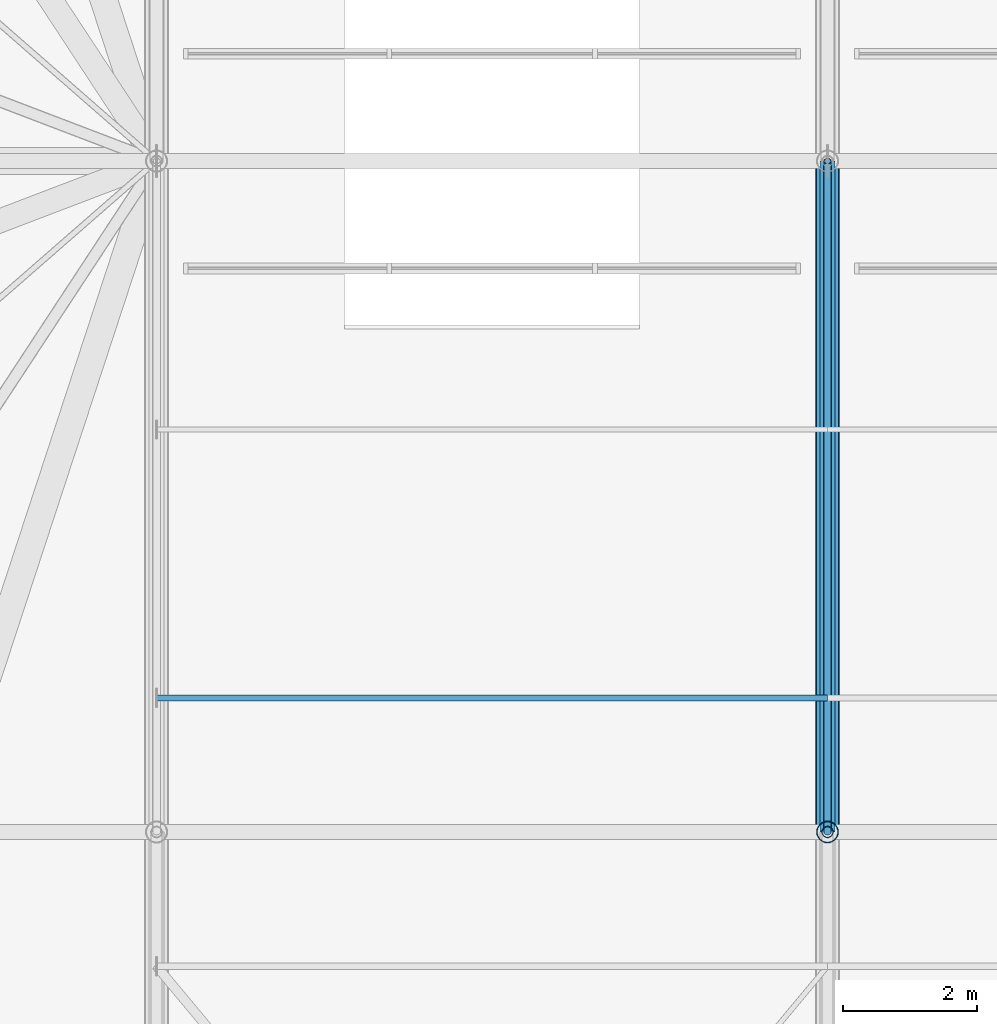
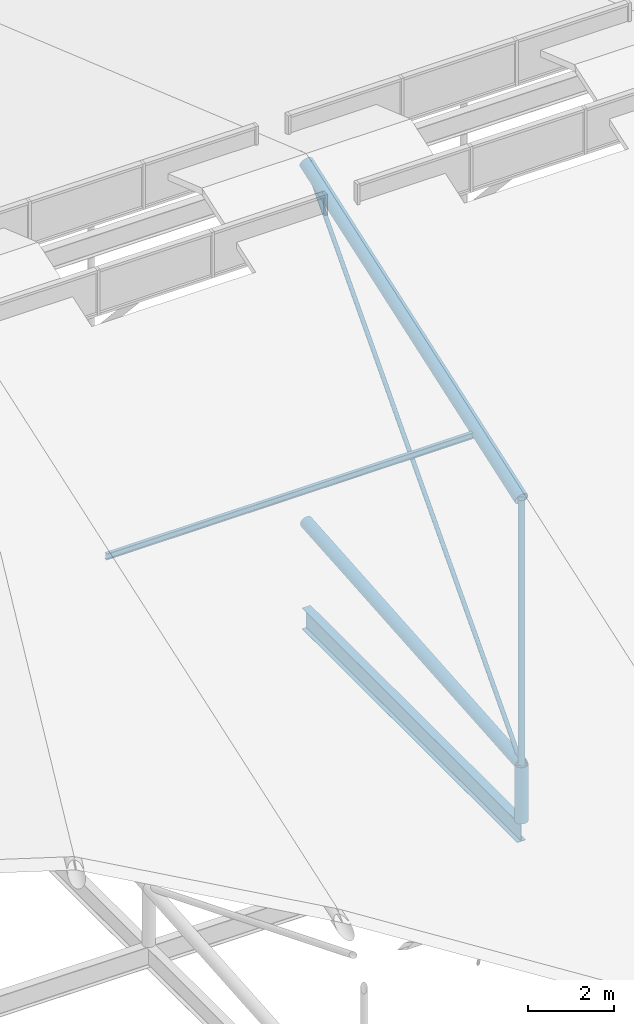
# One storey, part 15 of 93: 6 members, 1 beam.
"""IFC4 building model written with IfcOpenShell, lengths in metres."""

from ifc_helpers import new_model, si_unit, derived_unit, direction, frame, origin, origin_2d_with_axis, place, context, subcontext, project, spatial, hollow_circle, i_section, extrude, material, material_profile, profile_set, type_object, element, save


model = new_model("IFC4")

# Units and contexts
model_context = context("Model", 3, precision=1e-05, world=origin(), true_north=direction((0.0, 1.0)))
body_context = subcontext(model_context, "Body", "Model", "MODEL_VIEW")
ifc_project = project(units=[si_unit("LENGTHUNIT", "METRE"), si_unit("AREAUNIT", "SQUARE_METRE"), si_unit("VOLUMEUNIT", "CUBIC_METRE"), si_unit("PLANEANGLEUNIT", "RADIAN"), si_unit("MASSUNIT", "GRAM", prefix="KILO"), derived_unit("THERMALTRANSMITTANCEUNIT", [(si_unit("POWERUNIT", "WATT"), 1), (si_unit("LENGTHUNIT", "METRE"), -2), (si_unit("THERMODYNAMICTEMPERATUREUNIT", "KELVIN"), -1)])], contexts=[model_context])

# Site, building, storey
site_placement = place(None, origin())
site = spatial("IfcSite", under=ifc_project, at=site_placement, CompositionType="ELEMENT")
building_placement = place(site_placement, origin())
building = spatial("IfcBuilding", under=site, at=building_placement, Name="Cinnabar Yard Market Hall", CompositionType="ELEMENT")
storey_placement = place(building_placement, frame((0.0, 0.0, 23.800048828125)))
storey = spatial("IfcBuildingStorey", under=building, at=storey_placement, Name="ROOF", CompositionType="ELEMENT", Elevation=23.800048828125)

# Beam
ifc_material_1 = material(Name="Steel Grade 300 (300 MPa)", Category="steel")
ifc_material_profile_1 = material_profile(ifc_material_1, i_section(OverallWidth=0.22802734375, OverallDepth=0.60205078125, WebThickness=0.010498046875, FlangeThickness=0.014892578125, FilletRadius=0.013916015625, at=origin_2d_with_axis()), Name="610UB101")
ifc_profile_set_1 = profile_set([ifc_material_profile_1], Name="Steel Grade 300 (300 MPa)")
beam_type = type_object("IfcBeamType", Name="BM-B02", PredefinedType="BEAM", material=ifc_profile_set_1)
beam_placement = place(storey_placement, frame((96.0, 34.0, -9.700927734375), z_axis=(0.0, 1.0, 0.0), x_axis=(-1.0, 0.0, 0.0)))
element("IfcBeam", 1, at=beam_placement, inside=storey, type_object=beam_type, Name="Hall Transverse Tie Girder 00421", PredefinedType="BEAM", context=body_context, shape_type="SweptSolid", body=[
    extrude(i_section(OverallWidth=0.22802734375, OverallDepth=0.60205078125, WebThickness=0.010498046875, FlangeThickness=0.014892578125, FilletRadius=0.013916015625, at=origin_2d_with_axis()), origin(), (0.0, 0.0, 1.0), 10.0),
])

# Members
ifc_material_2 = material(Name="Cold-formed steel C350L0", Category="steel")
ifc_material_profile_2 = material_profile(ifc_material_2, hollow_circle(Radius=0.161865234375, WallThickness=0.009521484375, at=origin_2d_with_axis()), Name="323.9x9.5CHS")
ifc_profile_set_2 = profile_set([ifc_material_profile_2], Name="Cold-formed steel C350L0")
member_type_1 = type_object("IfcMemberType", Name="MB-BC01", PredefinedType="CHORD", material=ifc_profile_set_2)
member_1_placement = place(storey_placement, frame((96.0, 34.0, -7.800048828125), z_axis=(0.0, 0.99681489162, 0.07975005859), x_axis=(-1.0, 0.0, 0.0)))
element("IfcMember", 2, at=member_1_placement, inside=storey, type_object=member_type_1, Name="Hall Truss 96 Bottom Chord 3", PredefinedType="CHORD", context=body_context, shape_type="SweptSolid", body=[
    extrude(hollow_circle(Radius=0.161865234375, WallThickness=0.009521484375, at=origin_2d_with_axis()), origin(), (0.0, 0.0, 1.0), 10.031982421875),
])
ifc_material_profile_3 = material_profile(ifc_material_2, hollow_circle(Radius=0.05712890625, WallThickness=0.006103515625, at=origin_2d_with_axis()), Name="114.3x6.0CHS")
ifc_profile_set_3 = profile_set([ifc_material_profile_3], Name="Cold-formed steel C350L0")
member_type_2 = type_object("IfcMemberType", Name="MB-DG03", PredefinedType="BRACE", material=ifc_profile_set_3)
member_2_placement = place(storey_placement, frame((96.0, 34.0, -7.800048828125), z_axis=(0.0, 0.672672793996, 0.739940073396), x_axis=(-1.0, 0.0, 0.0)))
element("IfcMember", 3, at=member_2_placement, inside=storey, type_object=member_type_2, Name="Hall Truss 96 Diagonal 3", PredefinedType="BRACE", context=body_context, shape_type="SweptSolid", body=[
    extrude(hollow_circle(Radius=0.05712890625, WallThickness=0.006103515625, at=origin_2d_with_axis()), origin(), (0.0, 0.0, 1.0), 14.865966796875),
])
ifc_material_profile_4 = material_profile(ifc_material_1, i_section(OverallWidth=0.090087890625, OverallDepth=0.173095703125, WebThickness=0.00439453125, FlangeThickness=0.007080078125, FilletRadius=0.0087890625, at=origin_2d_with_axis()), Name="180UB16.1")
ifc_profile_set_4 = profile_set([ifc_material_profile_4], Name="Steel Grade 300 (300 MPa)")
member_type_3 = type_object("IfcMemberType", Name="MB-PU06", PredefinedType="PURLIN", material=ifc_profile_set_4)
member_3_placement = place(storey_placement, frame((86.0, 36.0, 0.37548828125), z_axis=(1.0, 0.0, 0.0), x_axis=(0.0, 1.0, 0.0)))
element("IfcMember", 4, at=member_3_placement, inside=storey, type_object=member_type_3, Name="Hall Roof Purlin Y36 X86", PredefinedType="PURLIN", context=body_context, shape_type="SweptSolid", body=[
    extrude(i_section(OverallWidth=0.090087890625, OverallDepth=0.173095703125, WebThickness=0.00439453125, FlangeThickness=0.007080078125, FilletRadius=0.0087890625, at=origin_2d_with_axis()), origin(), (0.0, 0.0, 1.0), 10.0),
])
ifc_material_3 = material(Name="Spotted-gum glulam-clad steel Grade 350 (350 MPa)", Category="steel")
ifc_material_profile_5 = material_profile(ifc_material_3, hollow_circle(Radius=0.161865234375, WallThickness=0.009521484375, at=origin_2d_with_axis()), Name="323.9x9.5CHS")
ifc_profile_set_5 = profile_set([ifc_material_profile_5], Name="Spotted-gum glulam-clad steel Grade 350 (350 MPa)")
member_type_4 = type_object("IfcMemberType", Name="MB-ST01", PredefinedType="STRUT", material=ifc_profile_set_5)
member_4_placement = place(storey_placement, frame((96.0, 34.0, -9.400146484375), z_axis=(0.0, 0.0, 1.0), x_axis=(1.0, 0.0, 0.0)))
element("IfcMember", 5, at=member_4_placement, inside=storey, type_object=member_type_4, Name="Truss Bearing Post 96-34", PredefinedType="STRUT", context=body_context, shape_type="SweptSolid", body=[
    extrude(hollow_circle(Radius=0.161865234375, WallThickness=0.009521484375, at=origin_2d_with_axis()), origin(), (0.0, 0.0, 1.0), 1.60009765625),
])
ifc_material_profile_6 = material_profile(ifc_material_2, hollow_circle(Radius=0.177734375, WallThickness=0.0126953125, at=origin_2d_with_axis()), Name="355.6x12.7CHS")
ifc_profile_set_6 = profile_set([ifc_material_profile_6], Name="Cold-formed steel C350L0")
member_type_5 = type_object("IfcMemberType", Name="MB-TC01", PredefinedType="CHORD", material=ifc_profile_set_6)
member_5_placement = place(storey_placement, frame((96.0, 34.0, -0.28076171875), z_axis=(0.0, 0.944424919483, 0.328727199147), x_axis=(-1.0, 0.0, 0.0)))
element("IfcMember", 6, at=member_5_placement, inside=storey, type_object=member_type_5, Name="Hall Truss 96 Top Chord 3", PredefinedType="CHORD", context=body_context, shape_type="SweptSolid", body=[
    extrude(hollow_circle(Radius=0.177734375, WallThickness=0.0126953125, at=origin_2d_with_axis()), origin(), (0.0, 0.0, 1.0), 10.58837890625),
])
ifc_material_profile_7 = material_profile(ifc_material_2, hollow_circle(Radius=0.084228515625, WallThickness=0.00634765625, at=origin_2d_with_axis()), Name="168.3x6.4CHS")
ifc_profile_set_7 = profile_set([ifc_material_profile_7], Name="Cold-formed steel C350L0")
member_type_6 = type_object("IfcMemberType", Name="MB-WB01", PredefinedType="STRUT", material=ifc_profile_set_7)
member_6_placement = place(storey_placement, frame((96.0, 34.0, -7.800048828125), z_axis=(0.0, 0.0, 1.0), x_axis=(1.0, 0.0, 0.0)))
element("IfcMember", 7, at=member_6_placement, inside=storey, type_object=member_type_6, Name="Hall Truss 96 Post 2", PredefinedType="STRUT", context=body_context, shape_type="SweptSolid", body=[
    extrude(hollow_circle(Radius=0.084228515625, WallThickness=0.00634765625, at=origin_2d_with_axis()), origin(), (0.0, 0.0, 1.0), 7.519287109375),
])

save(model, "model.ifc")
